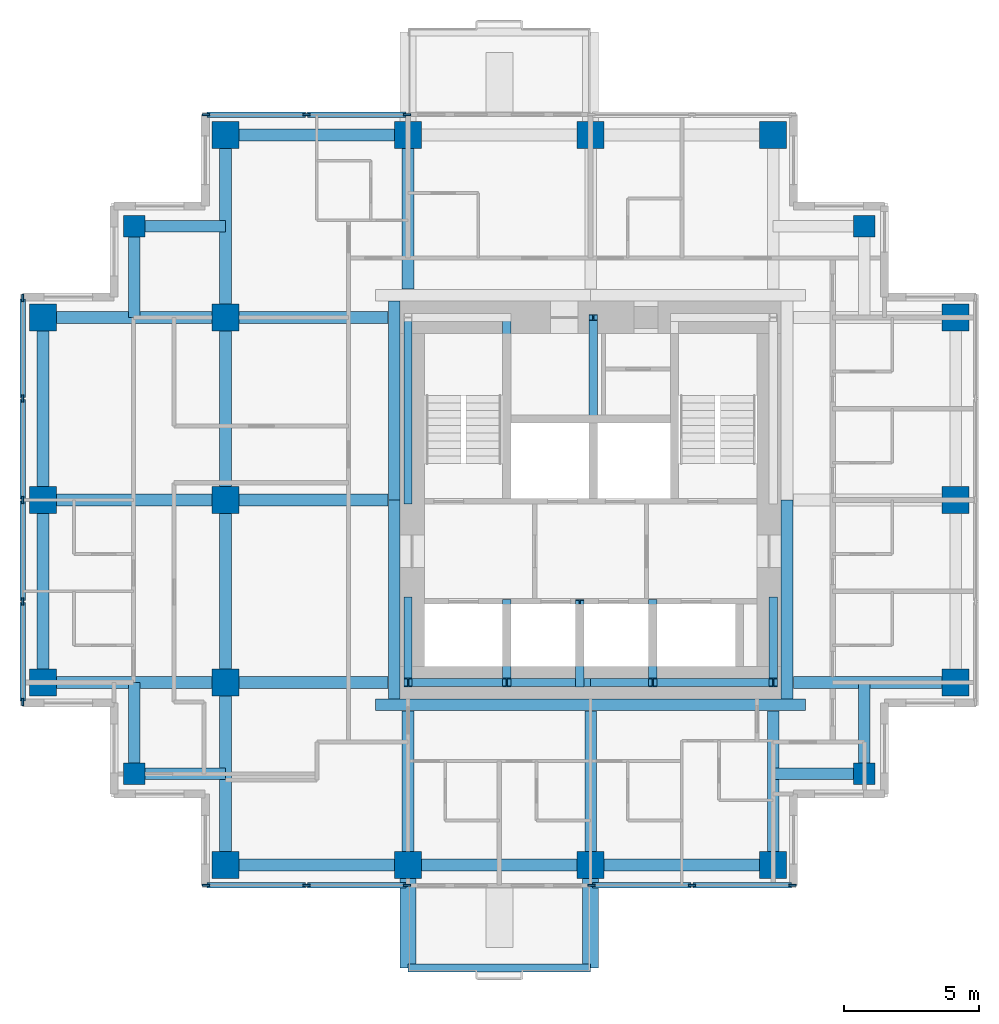
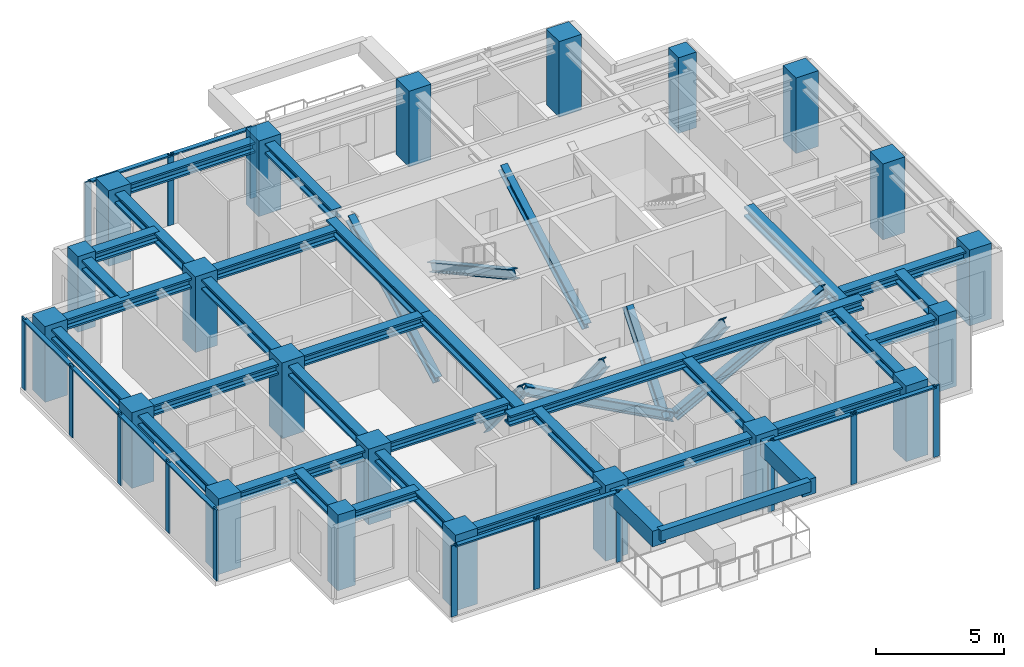
# One storey, part 1 of 8: 35 beams, 34 members, 21 columns, 4 elements without a shape of their own.
"""IFC4 building model written with IfcOpenShell, lengths in metres."""

from ifc_helpers import new_model, si_unit, direction, frame, origin, origin_2d, place, context, subcontext, project, spatial, rectangle, i_section, extrude, material, material_profile, profile_set, type_object, element, aggregate, save


model = new_model("IFC4")

# Units and contexts
model_context = context("Model", 3, precision=1e-05, world=origin(), true_north=direction((0.0, 1.0)))
body_context = subcontext(model_context, "Body", "Model", "MODEL_VIEW")
ifc_project = project(units=[si_unit("LENGTHUNIT", "METRE"), si_unit("AREAUNIT", "SQUARE_METRE"), si_unit("VOLUMEUNIT", "CUBIC_METRE"), si_unit("PLANEANGLEUNIT", "RADIAN"), si_unit("MASSUNIT", "GRAM", prefix="KILO")], contexts=[model_context])

# Site, building, storey
site_placement = place(None, origin())
site = spatial("IfcSite", under=ifc_project, at=site_placement, CompositionType="ELEMENT")
building_placement = place(site_placement, origin())
building = spatial("IfcBuilding", under=site, at=building_placement, Name="Nyansa Garden Tower", CompositionType="ELEMENT")
storey_placement = place(building_placement, frame((0.0, 0.0, 247.5)))
storey = spatial("IfcBuildingStorey", under=building, at=storey_placement, Name="L67", CompositionType="ELEMENT", Elevation=247.5)

# Columns
ifc_material_1 = material(Name="Concrete C70/85", Category="concrete")
ifc_material_profile_1 = material_profile(ifc_material_1, rectangle(XDim=1.0, YDim=1.0, at=origin_2d()), Name="RC 1000x1000")
ifc_profile_set_1 = profile_set([ifc_material_profile_1], Name="Concrete C70/85")
column_type_1 = type_object("IfcColumnType", Name="Column C100 RC 1000x1000", PredefinedType="COLUMN", material=ifc_profile_set_1)
for number, where, z_axis, x_axis, name in (
    (1, (0.0, 13.5, 0.0), (0.0, 0.0, 1.0), (1.0, 0.0, 0.0), "Column 2/F L67"),
    (2, (0.0, 20.25, 0.0), (0.0, 0.0, 1.0), (1.0, 0.0, 0.0), "Column 2/G L67"),
    (3, (0.0, 27.0, 0.0), (0.0, 0.0, 1.0), (1.0, 0.0, 0.0), "Column 2/H L67"),
    (4, (6.75, 6.75, 0.0), (0.0, 0.0, 1.0), (1.0, 0.0, 0.0), "Column 3/E L67"),
    (5, (6.75, 13.5, 0.0), (0.0, 0.0, 1.0), (1.0, 0.0, 0.0), "Column 3/F L67"),
    (6, (6.75, 20.25, 0.0), (0.0, 0.0, 1.0), (1.0, 0.0, 0.0), "Column 3/G L67"),
    (7, (6.75, 27.0, 0.0), (0.0, 0.0, 1.0), (1.0, 0.0, 0.0), "Column 3/H L67"),
    (8, (6.75, 33.75, 0.0), (0.0, 0.0, 1.0), (1.0, 0.0, 0.0), "Column 3/J L67"),
    (9, (13.5, 6.75, 0.0), (0.0, 0.0, 1.0), (1.0, 0.0, 0.0), "Column 4/E L67"),
    (10, (13.5, 33.75, 0.0), (0.0, 0.0, 1.0), (1.0, 0.0, 0.0), "Column 4/J L67"),
    (11, (20.25, 6.75, 0.0), (0.0, 0.0, 1.0), (1.0, 0.0, 0.0), "Column 5/E L67"),
    (12, (20.25, 33.75, 0.0), (0.0, 0.0, 1.0), (1.0, 0.0, 0.0), "Column 5/J L67"),
    (13, (27.0, 6.75, 0.0), (0.0, 0.0, 1.0), (1.0, 0.0, 0.0), "Column 6/E L67"),
    (14, (27.0, 33.75, 0.0), (0.0, 0.0, 1.0), (1.0, 0.0, 0.0), "Column 6/J L67"),
    (15, (33.75, 13.5, 0.0), (0.0, 0.0, 1.0), (1.0, 0.0, 0.0), "Column 7/F L67"),
    (16, (33.75, 20.25, 0.0), (0.0, 0.0, 1.0), (1.0, 0.0, 0.0), "Column 7/G L67"),
    (17, (33.75, 27.0, 0.0), (0.0, 0.0, 1.0), (1.0, 0.0, 0.0), "Column 7/H L67"),
):
    element("IfcColumn", number, at=place(storey_placement, frame(where, z_axis=z_axis, x_axis=x_axis)), inside=storey, type_object=column_type_1, Name=name, PredefinedType="COLUMN", context=body_context, shape_type="SweptSolid", body=[
        extrude(rectangle(XDim=1.0, YDim=1.0, at=origin_2d()), origin(), (0.0, 0.0, 1.0), 3.60009765625),
    ])
ifc_material_2 = material(Name="Concrete C70/85", Category="concrete")
ifc_material_profile_2 = material_profile(ifc_material_2, rectangle(XDim=0.800048828125, YDim=0.800048828125, at=origin_2d()), Name="RC 800x800")
ifc_profile_set_2 = profile_set([ifc_material_profile_2], Name="Concrete C70/85")
column_type_2 = type_object("IfcColumnType", Name="Column C80 RC 800x800", PredefinedType="COLUMN", material=ifc_profile_set_2)
for number, where, z_axis, x_axis, name in (
    (18, (3.375, 10.125, 0.0), (0.0, 0.0, 1.0), (1.0, 0.0, 0.0), "Column x3.375/y10.125 L67"),
    (19, (3.375, 30.375, 0.0), (0.0, 0.0, 1.0), (1.0, 0.0, 0.0), "Column x3.375/y30.375 L67"),
    (20, (30.375, 10.125, 0.0), (0.0, 0.0, 1.0), (1.0, 0.0, 0.0), "Column x30.375/y10.125 L67"),
    (21, (30.375, 30.375, 0.0), (0.0, 0.0, 1.0), (1.0, 0.0, 0.0), "Column x30.375/y30.375 L67"),
):
    element("IfcColumn", number, at=place(storey_placement, frame(where, z_axis=z_axis, x_axis=x_axis)), inside=storey, type_object=column_type_2, Name=name, PredefinedType="COLUMN", context=body_context, shape_type="SweptSolid", body=[
        extrude(rectangle(XDim=0.800048828125, YDim=0.800048828125, at=origin_2d()), origin(), (0.0, 0.0, 1.0), 3.60009765625),
    ])

# Beams
ifc_material_3 = material(Name="Concrete C70/85", Category="concrete")
ifc_material_profile_3 = material_profile(ifc_material_3, rectangle(XDim=0.60009765625, YDim=0.75, at=origin_2d()), Name="RC 600x750")
ifc_profile_set_3 = profile_set([ifc_material_profile_3], Name="Concrete C70/85")
beam_type_1 = type_object("IfcBeamType", Name="Balcony cantilever beam CB1 RC 600x750", PredefinedType="BEAM", material=ifc_profile_set_3)
for number, where, z_axis, x_axis, name in (
    (22, (13.5, 6.75, 2.985107421875), (0.0, -1.0, 0.0), (1.0, 0.0, 0.0), "Balcony cantilever beam L68"),
    (23, (20.25, 6.75, 2.985107421875), (0.0, -1.0, 0.0), (1.0, 0.0, 0.0), "Balcony cantilever beam L68"),
):
    element("IfcBeam", number, at=place(storey_placement, frame(where, z_axis=z_axis, x_axis=x_axis)), inside=storey, type_object=beam_type_1, Name=name, PredefinedType="BEAM", context=body_context, shape_type="SweptSolid", body=[
        extrude(rectangle(XDim=0.60009765625, YDim=0.75, at=origin_2d()), origin(), (0.0, 0.0, 1.0), 3.800048828125),
    ])
ifc_material_4 = material(Name="Concrete C70/85", Category="concrete")
ifc_material_profile_4 = material_profile(ifc_material_4, rectangle(XDim=0.300048828125, YDim=0.5, at=origin_2d()), Name="RC 300x500")
ifc_profile_set_4 = profile_set([ifc_material_profile_4], Name="Concrete C70/85")
beam_type_2 = type_object("IfcBeamType", Name="Balcony edge beam BE1 RC 300x500", PredefinedType="BEAM", material=ifc_profile_set_4)
beam_1_placement = place(storey_placement, frame((13.5, 2.949951171875, 3.110107421875), z_axis=(1.0, 0.0, 0.0), x_axis=(0.0, 1.0, 0.0)))
element("IfcBeam", 24, at=beam_1_placement, inside=storey, type_object=beam_type_2, Name="Balcony edge beam L68", PredefinedType="BEAM", context=body_context, shape_type="SweptSolid", body=[
    extrude(rectangle(XDim=0.300048828125, YDim=0.5, at=origin_2d()), origin(), (0.0, 0.0, 1.0), 6.75),
])

# Curtain wall, members
ifc_material_5 = material(Name="Black anodised aluminium, dark tinted double glazing", Category="aluminium")
curtain_wall_type = type_object("IfcCurtainWallType", Name="Inner skin curtain wall ISW-D", PredefinedType="USERDEFINED", material=ifc_material_5)
curtain_wall_1_placement = place(storey_placement, origin())
curtain_wall_1 = element("IfcCurtainWall", 25, at=curtain_wall_1_placement, inside=storey, type_object=curtain_wall_type, Name="Inner skin curtain wall L67 N", ObjectType="UNITISED CURTAIN WALL", PredefinedType="USERDEFINED")
ifc_material_6 = material(Name="Black anodised aluminium", Category="aluminium")
ifc_material_profile_5 = material_profile(ifc_material_6, rectangle(XDim=0.070068359375, YDim=0.27490234375, at=origin_2d()), Name="Mullion 275x70")
ifc_profile_set_5 = profile_set([ifc_material_profile_5], Name="Black anodised aluminium")
member_type_1 = type_object("IfcMemberType", Name="Mullion ISW-D 275x70", PredefinedType="MULLION", material=ifc_profile_set_5)
member_1_placement = place(storey_placement, frame((13.465087890625, 34.5, 0.0), z_axis=(0.0, 0.0, 1.0), x_axis=(0.0, -1.0, 0.0)))
member_1 = element("IfcMember", 26, at=member_1_placement, type_object=member_type_1, Name="ISW-D mullion 1", PredefinedType="MULLION", context=body_context, shape_type="SweptSolid", body=[
    extrude(rectangle(XDim=0.070068359375, YDim=0.27490234375, at=origin_2d()), origin(), (0.0, 0.0, 1.0), 3.375),
])
member_2_placement = place(storey_placement, frame((9.75, 34.5, 0.0), z_axis=(0.0, 0.0, 1.0), x_axis=(0.0, -1.0, 0.0)))
member_2 = element("IfcMember", 27, at=member_2_placement, type_object=member_type_1, Name="ISW-D mullion 2", PredefinedType="MULLION", context=body_context, shape_type="SweptSolid", body=[
    extrude(rectangle(XDim=0.070068359375, YDim=0.27490234375, at=origin_2d()), origin(), (0.0, 0.0, 1.0), 3.375),
])
member_3_placement = place(storey_placement, frame((6.034912109375, 34.5, 0.0), z_axis=(0.0, 0.0, 1.0), x_axis=(0.0, -1.0, 0.0)))
member_3 = element("IfcMember", 28, at=member_3_placement, type_object=member_type_1, Name="ISW-D mullion 3", PredefinedType="MULLION", context=body_context, shape_type="SweptSolid", body=[
    extrude(rectangle(XDim=0.070068359375, YDim=0.27490234375, at=origin_2d()), origin(), (0.0, 0.0, 1.0), 3.375),
])

curtain_wall_2_placement = place(storey_placement, origin())
curtain_wall_2 = element("IfcCurtainWall", 29, at=curtain_wall_2_placement, inside=storey, type_object=curtain_wall_type, Name="Inner skin curtain wall L67 W", ObjectType="UNITISED CURTAIN WALL", PredefinedType="USERDEFINED")
member_4_placement = place(storey_placement, frame((-0.75, 27.715087890625, 0.0), z_axis=(0.0, 0.0, 1.0), x_axis=(1.0, 0.0, 0.0)))
member_4 = element("IfcMember", 30, at=member_4_placement, type_object=member_type_1, Name="ISW-D mullion 1", PredefinedType="MULLION", context=body_context, shape_type="SweptSolid", body=[
    extrude(rectangle(XDim=0.070068359375, YDim=0.27490234375, at=origin_2d()), origin(), (0.0, 0.0, 1.0), 3.375),
])
member_5_placement = place(storey_placement, frame((-0.75, 24.0, 0.0), z_axis=(0.0, 0.0, 1.0), x_axis=(1.0, 0.0, 0.0)))
member_5 = element("IfcMember", 31, at=member_5_placement, type_object=member_type_1, Name="ISW-D mullion 2", PredefinedType="MULLION", context=body_context, shape_type="SweptSolid", body=[
    extrude(rectangle(XDim=0.070068359375, YDim=0.27490234375, at=origin_2d()), origin(), (0.0, 0.0, 1.0), 3.375),
])
member_6_placement = place(storey_placement, frame((-0.75, 20.25, 0.0), z_axis=(0.0, 0.0, 1.0), x_axis=(1.0, 0.0, 0.0)))
member_6 = element("IfcMember", 32, at=member_6_placement, type_object=member_type_1, Name="ISW-D mullion 3", PredefinedType="MULLION", context=body_context, shape_type="SweptSolid", body=[
    extrude(rectangle(XDim=0.070068359375, YDim=0.27490234375, at=origin_2d()), origin(), (0.0, 0.0, 1.0), 3.375),
])
member_7_placement = place(storey_placement, frame((-0.75, 16.5, 0.0), z_axis=(0.0, 0.0, 1.0), x_axis=(1.0, 0.0, 0.0)))
member_7 = element("IfcMember", 33, at=member_7_placement, type_object=member_type_1, Name="ISW-D mullion 4", PredefinedType="MULLION", context=body_context, shape_type="SweptSolid", body=[
    extrude(rectangle(XDim=0.070068359375, YDim=0.27490234375, at=origin_2d()), origin(), (0.0, 0.0, 1.0), 3.375),
])
member_8_placement = place(storey_placement, frame((-0.75, 12.784912109375, 0.0), z_axis=(0.0, 0.0, 1.0), x_axis=(1.0, 0.0, 0.0)))
member_8 = element("IfcMember", 34, at=member_8_placement, type_object=member_type_1, Name="ISW-D mullion 5", PredefinedType="MULLION", context=body_context, shape_type="SweptSolid", body=[
    extrude(rectangle(XDim=0.070068359375, YDim=0.27490234375, at=origin_2d()), origin(), (0.0, 0.0, 1.0), 3.375),
])

curtain_wall_3_placement = place(storey_placement, origin())
curtain_wall_3 = element("IfcCurtainWall", 35, at=curtain_wall_3_placement, inside=storey, type_object=curtain_wall_type, Name="Inner skin curtain wall L67 S", ObjectType="UNITISED CURTAIN WALL", PredefinedType="USERDEFINED")
member_9_placement = place(storey_placement, frame((6.034912109375, 6.0, 0.0), z_axis=(0.0, 0.0, 1.0), x_axis=(0.0, 1.0, 0.0)))
member_9 = element("IfcMember", 36, at=member_9_placement, type_object=member_type_1, Name="ISW-D mullion 1", PredefinedType="MULLION", context=body_context, shape_type="SweptSolid", body=[
    extrude(rectangle(XDim=0.070068359375, YDim=0.27490234375, at=origin_2d()), origin(), (0.0, 0.0, 1.0), 3.375),
])
member_10_placement = place(storey_placement, frame((9.75, 6.0, 0.0), z_axis=(0.0, 0.0, 1.0), x_axis=(0.0, 1.0, 0.0)))
member_10 = element("IfcMember", 37, at=member_10_placement, type_object=member_type_1, Name="ISW-D mullion 2", PredefinedType="MULLION", context=body_context, shape_type="SweptSolid", body=[
    extrude(rectangle(XDim=0.070068359375, YDim=0.27490234375, at=origin_2d()), origin(), (0.0, 0.0, 1.0), 3.375),
])
member_11_placement = place(storey_placement, frame((13.465087890625, 6.0, 0.0), z_axis=(0.0, 0.0, 1.0), x_axis=(0.0, 1.0, 0.0)))
member_11 = element("IfcMember", 38, at=member_11_placement, type_object=member_type_1, Name="ISW-D mullion 3", PredefinedType="MULLION", context=body_context, shape_type="SweptSolid", body=[
    extrude(rectangle(XDim=0.070068359375, YDim=0.27490234375, at=origin_2d()), origin(), (0.0, 0.0, 1.0), 3.375),
])

curtain_wall_4_placement = place(storey_placement, origin())
curtain_wall_4 = element("IfcCurtainWall", 39, at=curtain_wall_4_placement, inside=storey, type_object=curtain_wall_type, Name="Inner skin curtain wall L67 S", ObjectType="UNITISED CURTAIN WALL", PredefinedType="USERDEFINED")
member_12_placement = place(storey_placement, frame((20.284912109375, 6.0, 0.0), z_axis=(0.0, 0.0, 1.0), x_axis=(0.0, 1.0, 0.0)))
member_12 = element("IfcMember", 40, at=member_12_placement, type_object=member_type_1, Name="ISW-D mullion 1", PredefinedType="MULLION", context=body_context, shape_type="SweptSolid", body=[
    extrude(rectangle(XDim=0.070068359375, YDim=0.27490234375, at=origin_2d()), origin(), (0.0, 0.0, 1.0), 3.375),
])
member_13_placement = place(storey_placement, frame((24.0, 6.0, 0.0), z_axis=(0.0, 0.0, 1.0), x_axis=(0.0, 1.0, 0.0)))
member_13 = element("IfcMember", 41, at=member_13_placement, type_object=member_type_1, Name="ISW-D mullion 2", PredefinedType="MULLION", context=body_context, shape_type="SweptSolid", body=[
    extrude(rectangle(XDim=0.070068359375, YDim=0.27490234375, at=origin_2d()), origin(), (0.0, 0.0, 1.0), 3.375),
])
member_14_placement = place(storey_placement, frame((27.715087890625, 6.0, 0.0), z_axis=(0.0, 0.0, 1.0), x_axis=(0.0, 1.0, 0.0)))
member_14 = element("IfcMember", 42, at=member_14_placement, type_object=member_type_1, Name="ISW-D mullion 3", PredefinedType="MULLION", context=body_context, shape_type="SweptSolid", body=[
    extrude(rectangle(XDim=0.070068359375, YDim=0.27490234375, at=origin_2d()), origin(), (0.0, 0.0, 1.0), 3.375),
])

# Members
ifc_material_7 = material(Name="Steel S355", Category="steel")
ifc_material_profile_6 = material_profile(ifc_material_7, i_section(OverallWidth=0.306884765625, OverallDepth=0.431884765625, WebThickness=0.02099609375, FlangeThickness=0.0400390625, FilletRadius=0.027099609375, at=origin_2d()), Name="HE 400 M")
ifc_profile_set_6 = profile_set([ifc_material_profile_6], Name="Steel S355")
member_type_2 = type_object("IfcMemberType", Name="Perimeter brace HE 400 M", PredefinedType="BRACE", material=ifc_profile_set_6)
for number, where, z_axis, x_axis, name in (
    (43, (20.25, 13.5, 0.0), (-0.882347640589, 0.0, 0.47059817376), (0.0, -1.0, 0.0), "Core brace CS1 L67"),
    (44, (20.25, 13.5, 0.0), (0.882347640589, 0.0, 0.47059817376), (0.0, 1.0, 0.0), "Core brace CS2 L67"),
):
    element("IfcMember", number, at=place(storey_placement, frame(where, z_axis=z_axis, x_axis=x_axis)), inside=storey, type_object=member_type_2, Name=name, PredefinedType="BRACE", context=body_context, shape_type="SweptSolid", body=[
        extrude(i_section(OverallWidth=0.306884765625, OverallDepth=0.431884765625, WebThickness=0.02099609375, FlangeThickness=0.0400390625, FilletRadius=0.027099609375, at=origin_2d()), origin(), (0.0, 0.0, 1.0), 7.650146484375),
    ])
member_15_placement = place(storey_placement, frame((13.5, 16.5, 0.0), z_axis=(0.0, -0.640174150918, 0.768229820104), x_axis=(1.0, 0.0, 0.0)))
element("IfcMember", 45, at=member_15_placement, inside=storey, type_object=member_type_2, Name="Core brace CW5 L67", PredefinedType="BRACE", context=body_context, shape_type="SweptSolid", body=[
    extrude(i_section(OverallWidth=0.306884765625, OverallDepth=0.431884765625, WebThickness=0.02099609375, FlangeThickness=0.0400390625, FilletRadius=0.027099609375, at=origin_2d()), origin(), (0.0, 0.0, 1.0), 4.686279296875),
])
member_16_placement = place(storey_placement, frame((13.5, 20.199951171875, 0.0), z_axis=(0.0, 0.883784057226, 0.467895009796), x_axis=(-1.0, 0.0, 0.0)))
element("IfcMember", 46, at=member_16_placement, inside=storey, type_object=member_type_2, Name="Core brace CW6 L67", PredefinedType="BRACE", context=body_context, shape_type="SweptSolid", body=[
    extrude(i_section(OverallWidth=0.306884765625, OverallDepth=0.431884765625, WebThickness=0.02099609375, FlangeThickness=0.0400390625, FilletRadius=0.027099609375, at=origin_2d()), origin(), (0.0, 0.0, 1.0), 7.6943359375),
])
member_17_placement = place(storey_placement, frame((27.0, 16.5, 0.0), z_axis=(0.0, -0.640174150918, 0.768229820104), x_axis=(1.0, 0.0, 0.0)))
element("IfcMember", 47, at=member_17_placement, inside=storey, type_object=member_type_2, Name="Core brace CE7 L67", PredefinedType="BRACE", context=body_context, shape_type="SweptSolid", body=[
    extrude(i_section(OverallWidth=0.306884765625, OverallDepth=0.431884765625, WebThickness=0.02099609375, FlangeThickness=0.0400390625, FilletRadius=0.027099609375, at=origin_2d()), origin(), (0.0, 0.0, 1.0), 4.686279296875),
])
member_18_placement = place(storey_placement, frame((17.14990234375, 27.0, 0.0), z_axis=(0.0, -0.876353113771, 0.481669201822), x_axis=(1.0, 0.0, 0.0)))
element("IfcMember", 48, at=member_18_placement, inside=storey, type_object=member_type_2, Name="Core brace CWS9 L67", PredefinedType="BRACE", context=body_context, shape_type="SweptSolid", body=[
    extrude(i_section(OverallWidth=0.306884765625, OverallDepth=0.431884765625, WebThickness=0.02099609375, FlangeThickness=0.0400390625, FilletRadius=0.027099609375, at=origin_2d()), origin(), (0.0, 0.0, 1.0), 7.47412109375),
])
for number, where, z_axis, x_axis, name in (
    (49, (17.14990234375, 16.39990234375, 0.0), (0.0, -0.627306405886, 0.778772542617), (1.0, 0.0, 0.0), "Core brace CSW11 L67"),
    (50, (19.85009765625, 13.5, 0.0), (0.0, 0.627306405886, 0.778772542617), (-1.0, 0.0, 0.0), "Core brace CSW12 L67"),
    (51, (22.550048828125, 16.39990234375, 0.0), (0.0, -0.627306405886, 0.778772542617), (1.0, 0.0, 0.0), "Core brace CSW13 L67"),
):
    element("IfcMember", number, at=place(storey_placement, frame(where, z_axis=z_axis, x_axis=x_axis)), inside=storey, type_object=member_type_2, Name=name, PredefinedType="BRACE", context=body_context, shape_type="SweptSolid", body=[
        extrude(i_section(OverallWidth=0.306884765625, OverallDepth=0.431884765625, WebThickness=0.02099609375, FlangeThickness=0.0400390625, FilletRadius=0.027099609375, at=origin_2d()), origin(), (0.0, 0.0, 1.0), 4.622802734375),
    ])
member_19_placement = place(storey_placement, frame((20.35009765625, 20.449951171875, 0.0), z_axis=(0.0, 0.876353113771, 0.481669201822), x_axis=(-1.0, 0.0, 0.0)))
element("IfcMember", 52, at=member_19_placement, inside=storey, type_object=member_type_2, Name="Core brace CNW14 L67", PredefinedType="BRACE", context=body_context, shape_type="SweptSolid", body=[
    extrude(i_section(OverallWidth=0.306884765625, OverallDepth=0.431884765625, WebThickness=0.02099609375, FlangeThickness=0.0400390625, FilletRadius=0.027099609375, at=origin_2d()), origin(), (0.0, 0.0, 1.0), 7.47412109375),
])

# Beams
ifc_material_8 = material(Name="Steel S355", Category="steel")
ifc_material_profile_7 = material_profile(ifc_material_8, i_section(OverallWidth=0.431884765625, OverallDepth=0.498046875, WebThickness=0.0556640625, FlangeThickness=0.0888671875, FilletRadius=0.014892578125, at=origin_2d()), Name="HD 400x744")
ifc_profile_set_7 = profile_set([ifc_material_profile_7], Name="Steel S355")
beam_type_3 = type_object("IfcBeamType", Name="Steel beam SBD1-744 HD 400x744", PredefinedType="BEAM", material=ifc_profile_set_7)
for number, where, z_axis, x_axis, name in (
    (53, (0.0, 13.5, 3.1259765625), (1.0, 0.0, 0.0), (0.0, 1.0, 0.0), "Steel beam 2/F-3/F L68"),
    (54, (0.0, 20.25, 3.1259765625), (1.0, 0.0, 0.0), (0.0, 1.0, 0.0), "Steel beam 2/G-3/G L68"),
    (55, (0.0, 27.0, 3.1259765625), (1.0, 0.0, 0.0), (0.0, 1.0, 0.0), "Steel beam 2/H-3/H L68"),
    (56, (6.75, 6.75, 3.1259765625), (0.0, 1.0, 0.0), (-1.0, 0.0, 0.0), "Steel beam 3/E-3/F L68"),
    (57, (6.75, 13.5, 3.1259765625), (0.0, 1.0, 0.0), (-1.0, 0.0, 0.0), "Steel beam 3/F-3/G L68"),
):
    element("IfcBeam", number, at=place(storey_placement, frame(where, z_axis=z_axis, x_axis=x_axis)), inside=storey, type_object=beam_type_3, Name=name, PredefinedType="BEAM", context=body_context, shape_type="SweptSolid", body=[
        extrude(i_section(OverallWidth=0.431884765625, OverallDepth=0.498046875, WebThickness=0.0556640625, FlangeThickness=0.0888671875, FilletRadius=0.014892578125, at=origin_2d()), origin(), (0.0, 0.0, 1.0), 6.75),
    ])
beam_2_placement = place(storey_placement, frame((6.75, 13.5, 3.1259765625), z_axis=(1.0, 0.0, 0.0), x_axis=(0.0, 1.0, 0.0)))
element("IfcBeam", 58, at=beam_2_placement, inside=storey, type_object=beam_type_3, Name="Steel beam 3/F-12.750/F L68", PredefinedType="BEAM", context=body_context, shape_type="SweptSolid", body=[
    extrude(i_section(OverallWidth=0.431884765625, OverallDepth=0.498046875, WebThickness=0.0556640625, FlangeThickness=0.0888671875, FilletRadius=0.014892578125, at=origin_2d()), origin(), (0.0, 0.0, 1.0), 6.0),
])
beam_3_placement = place(storey_placement, frame((6.75, 20.25, 3.1259765625), z_axis=(0.0, 1.0, 0.0), x_axis=(-1.0, 0.0, 0.0)))
element("IfcBeam", 59, at=beam_3_placement, inside=storey, type_object=beam_type_3, Name="Steel beam 3/G-3/H L68", PredefinedType="BEAM", context=body_context, shape_type="SweptSolid", body=[
    extrude(i_section(OverallWidth=0.431884765625, OverallDepth=0.498046875, WebThickness=0.0556640625, FlangeThickness=0.0888671875, FilletRadius=0.014892578125, at=origin_2d()), origin(), (0.0, 0.0, 1.0), 6.75),
])
beam_4_placement = place(storey_placement, frame((6.75, 20.25, 3.1259765625), z_axis=(1.0, 0.0, 0.0), x_axis=(0.0, 1.0, 0.0)))
element("IfcBeam", 60, at=beam_4_placement, inside=storey, type_object=beam_type_3, Name="Steel beam 3/G-12.750/G L68", PredefinedType="BEAM", context=body_context, shape_type="SweptSolid", body=[
    extrude(i_section(OverallWidth=0.431884765625, OverallDepth=0.498046875, WebThickness=0.0556640625, FlangeThickness=0.0888671875, FilletRadius=0.014892578125, at=origin_2d()), origin(), (0.0, 0.0, 1.0), 6.0),
])
beam_5_placement = place(storey_placement, frame((6.75, 27.0, 3.1259765625), z_axis=(0.0, 1.0, 0.0), x_axis=(-1.0, 0.0, 0.0)))
element("IfcBeam", 61, at=beam_5_placement, inside=storey, type_object=beam_type_3, Name="Steel beam 3/H-3/J L68", PredefinedType="BEAM", context=body_context, shape_type="SweptSolid", body=[
    extrude(i_section(OverallWidth=0.431884765625, OverallDepth=0.498046875, WebThickness=0.0556640625, FlangeThickness=0.0888671875, FilletRadius=0.014892578125, at=origin_2d()), origin(), (0.0, 0.0, 1.0), 6.75),
])
beam_6_placement = place(storey_placement, frame((6.75, 27.0, 3.1259765625), z_axis=(1.0, 0.0, 0.0), x_axis=(0.0, 1.0, 0.0)))
element("IfcBeam", 62, at=beam_6_placement, inside=storey, type_object=beam_type_3, Name="Steel beam 3/H-12.750/H L68", PredefinedType="BEAM", context=body_context, shape_type="SweptSolid", body=[
    extrude(i_section(OverallWidth=0.431884765625, OverallDepth=0.498046875, WebThickness=0.0556640625, FlangeThickness=0.0888671875, FilletRadius=0.014892578125, at=origin_2d()), origin(), (0.0, 0.0, 1.0), 6.0),
])
for number, where, z_axis, x_axis, name in (
    (63, (13.5, 6.75, 3.1259765625), (0.0, 1.0, 0.0), (-1.0, 0.0, 0.0), "Steel beam 4/E-4/12.450 L68"),
    (64, (13.5, 28.050048828125, 3.1259765625), (0.0, 1.0, 0.0), (-1.0, 0.0, 0.0), "Steel beam 4/28.050-4/J L68"),
    (65, (20.25, 6.75, 3.1259765625), (0.0, 1.0, 0.0), (-1.0, 0.0, 0.0), "Steel beam 5/E-5/12.450 L68"),
    (66, (27.0, 6.75, 3.1259765625), (0.0, 1.0, 0.0), (-1.0, 0.0, 0.0), "Steel beam 6/E-6/12.450 L68"),
):
    element("IfcBeam", number, at=place(storey_placement, frame(where, z_axis=z_axis, x_axis=x_axis)), inside=storey, type_object=beam_type_3, Name=name, PredefinedType="BEAM", context=body_context, shape_type="SweptSolid", body=[
        extrude(i_section(OverallWidth=0.431884765625, OverallDepth=0.498046875, WebThickness=0.0556640625, FlangeThickness=0.0888671875, FilletRadius=0.014892578125, at=origin_2d()), origin(), (0.0, 0.0, 1.0), 5.699951171875),
    ])
beam_7_placement = place(storey_placement, frame((27.75, 13.5, 3.1259765625), z_axis=(1.0, 0.0, 0.0), x_axis=(0.0, 1.0, 0.0)))
element("IfcBeam", 67, at=beam_7_placement, inside=storey, type_object=beam_type_3, Name="Steel beam 27.750/F-7/F L68", PredefinedType="BEAM", context=body_context, shape_type="SweptSolid", body=[
    extrude(i_section(OverallWidth=0.431884765625, OverallDepth=0.498046875, WebThickness=0.0556640625, FlangeThickness=0.0888671875, FilletRadius=0.014892578125, at=origin_2d()), origin(), (0.0, 0.0, 1.0), 6.0),
])
ifc_material_9 = material(Name="Steel S355", Category="steel")
ifc_material_profile_8 = material_profile(ifc_material_9, i_section(OverallWidth=0.431884765625, OverallDepth=0.498046875, WebThickness=0.0556640625, FlangeThickness=0.0888671875, FilletRadius=0.014892578125, at=origin_2d()), Name="HD 400x744")
ifc_profile_set_8 = profile_set([ifc_material_profile_8], Name="Steel S355")
beam_type_4 = type_object("IfcBeamType", Name="Steel beam SEBD-744 HD 400x744", PredefinedType="BEAM", material=ifc_profile_set_8)
for number, where, z_axis, x_axis, name in (
    (68, (0.0, 13.5, 3.1259765625), (0.0, 1.0, 0.0), (-1.0, 0.0, 0.0), "Steel edge beam 2/F-2/G L68"),
    (69, (0.0, 20.25, 3.1259765625), (0.0, 1.0, 0.0), (-1.0, 0.0, 0.0), "Steel edge beam 2/G-2/H L68"),
    (70, (6.75, 6.75, 3.1259765625), (1.0, 0.0, 0.0), (0.0, 1.0, 0.0), "Steel edge beam 3/E-4/E L68"),
    (71, (6.75, 33.75, 3.1259765625), (1.0, 0.0, 0.0), (0.0, 1.0, 0.0), "Steel edge beam 3/J-4/J L68"),
    (72, (13.5, 6.75, 3.1259765625), (1.0, 0.0, 0.0), (0.0, 1.0, 0.0), "Steel edge beam 4/E-5/E L68"),
    (73, (20.25, 6.75, 3.1259765625), (1.0, 0.0, 0.0), (0.0, 1.0, 0.0), "Steel edge beam 5/E-6/E L68"),
):
    element("IfcBeam", number, at=place(storey_placement, frame(where, z_axis=z_axis, x_axis=x_axis)), inside=storey, type_object=beam_type_4, Name=name, PredefinedType="BEAM", context=body_context, shape_type="SweptSolid", body=[
        extrude(i_section(OverallWidth=0.431884765625, OverallDepth=0.498046875, WebThickness=0.0556640625, FlangeThickness=0.0888671875, FilletRadius=0.014892578125, at=origin_2d()), origin(), (0.0, 0.0, 1.0), 6.75),
    ])
ifc_material_10 = material(Name="Steel S355", Category="steel")
ifc_material_profile_9 = material_profile(ifc_material_10, i_section(OverallWidth=0.431884765625, OverallDepth=0.498046875, WebThickness=0.0556640625, FlangeThickness=0.0888671875, FilletRadius=0.014892578125, at=origin_2d()), Name="HD 400x744")
ifc_profile_set_9 = profile_set([ifc_material_profile_9], Name="Steel S355")
beam_type_5 = type_object("IfcBeamType", Name="Steel beam SLB1-744 HD 400x744", PredefinedType="BEAM", material=ifc_profile_set_9)
for number, where, z_axis, x_axis, name in (
    (74, (12.300048828125, 12.68408203125, 3.1259765625), (1.0, 0.0, 0.0), (0.0, 1.0, 0.0), "Steel core ledger beam S.1 L68"),
    (75, (20.25, 12.68408203125, 3.1259765625), (1.0, 0.0, 0.0), (0.0, 1.0, 0.0), "Steel core ledger beam S.2 L68"),
):
    element("IfcBeam", number, at=place(storey_placement, frame(where, z_axis=z_axis, x_axis=x_axis)), inside=storey, type_object=beam_type_5, Name=name, PredefinedType="BEAM", context=body_context, shape_type="SweptSolid", body=[
        extrude(i_section(OverallWidth=0.431884765625, OverallDepth=0.498046875, WebThickness=0.0556640625, FlangeThickness=0.0888671875, FilletRadius=0.014892578125, at=origin_2d()), origin(), (0.0, 0.0, 1.0), 7.949951171875),
    ])
for number, where, z_axis, x_axis, name in (
    (76, (27.51611328125, 12.89990234375, 3.1259765625), (0.0, 1.0, 0.0), (-1.0, 0.0, 0.0), "Steel core ledger beam E.1 L68"),
    (77, (12.98388671875, 27.60009765625, 3.1259765625), (0.0, -1.0, 0.0), (1.0, 0.0, 0.0), "Steel core ledger beam W.1 L68"),
    (78, (12.98388671875, 20.25, 3.1259765625), (0.0, -1.0, 0.0), (1.0, 0.0, 0.0), "Steel core ledger beam W.2 L68"),
):
    element("IfcBeam", number, at=place(storey_placement, frame(where, z_axis=z_axis, x_axis=x_axis)), inside=storey, type_object=beam_type_5, Name=name, PredefinedType="BEAM", context=body_context, shape_type="SweptSolid", body=[
        extrude(i_section(OverallWidth=0.431884765625, OverallDepth=0.498046875, WebThickness=0.0556640625, FlangeThickness=0.0888671875, FilletRadius=0.014892578125, at=origin_2d()), origin(), (0.0, 0.0, 1.0), 7.35009765625),
    ])
ifc_material_11 = material(Name="Steel S355", Category="steel")
ifc_material_profile_10 = material_profile(ifc_material_11, i_section(OverallWidth=0.431884765625, OverallDepth=0.498046875, WebThickness=0.0556640625, FlangeThickness=0.0888671875, FilletRadius=0.014892578125, at=origin_2d()), Name="HD 400x744")
ifc_profile_set_10 = profile_set([ifc_material_profile_10], Name="Steel S355")
beam_type_6 = type_object("IfcBeamType", Name="Steel beam SSB1-744 HD 400x744", PredefinedType="BEAM", material=ifc_profile_set_10)
for number, where, z_axis, x_axis, name in (
    (79, (3.375, 10.125, 3.1259765625), (0.0, 1.0, 0.0), (-1.0, 0.0, 0.0), "Steel step beam 3.375/10.125 L68"),
    (80, (3.375, 10.125, 3.1259765625), (1.0, 0.0, 0.0), (0.0, 1.0, 0.0), "Steel step beam 3.375/10.125 L68"),
    (81, (30.375, 10.125, 3.1259765625), (0.0, 1.0, 0.0), (-1.0, 0.0, 0.0), "Steel step beam 30.375/10.125 L68"),
    (82, (30.375, 10.125, 3.1259765625), (-1.0, 0.0, 0.0), (0.0, -1.0, 0.0), "Steel step beam 30.375/10.125 L68"),
    (83, (3.375, 30.375, 3.1259765625), (0.0, -1.0, 0.0), (1.0, 0.0, 0.0), "Steel step beam 3.375/30.375 L68"),
    (84, (3.375, 30.375, 3.1259765625), (1.0, 0.0, 0.0), (0.0, 1.0, 0.0), "Steel step beam 3.375/30.375 L68"),
):
    element("IfcBeam", number, at=place(storey_placement, frame(where, z_axis=z_axis, x_axis=x_axis)), inside=storey, type_object=beam_type_6, Name=name, PredefinedType="BEAM", context=body_context, shape_type="SweptSolid", body=[
        extrude(i_section(OverallWidth=0.431884765625, OverallDepth=0.498046875, WebThickness=0.0556640625, FlangeThickness=0.0888671875, FilletRadius=0.014892578125, at=origin_2d()), origin(), (0.0, 0.0, 1.0), 3.375),
    ])

# Member
ifc_material_12 = material(Name="Black anodised aluminium", Category="aluminium")
ifc_material_profile_11 = material_profile(ifc_material_12, rectangle(XDim=0.195068359375, YDim=0.070068359375, at=origin_2d()), Name="Transom 195x70")
ifc_profile_set_11 = profile_set([ifc_material_profile_11], Name="Black anodised aluminium")
member_type_3 = type_object("IfcMemberType", Name="Transom ISW-D 195x70", PredefinedType="USERDEFINED", material=ifc_profile_set_11)
member_20_placement = place(storey_placement, frame((13.429931640625, 34.5, 3.340087890625), z_axis=(-1.0, 0.0, 0.0), x_axis=(0.0, -1.0, 0.0)))
member_20 = element("IfcMember", 85, at=member_20_placement, type_object=member_type_3, Name="ISW-D transom 1", ObjectType="TRANSOM", PredefinedType="USERDEFINED", context=body_context, shape_type="SweptSolid", body=[
    extrude(rectangle(XDim=0.195068359375, YDim=0.070068359375, at=origin_2d()), origin(), (0.0, 0.0, 1.0), 3.64501953125),
])

member_21_placement = place(storey_placement, frame((9.715087890625, 34.5, 3.340087890625), z_axis=(-1.0, 0.0, 0.0), x_axis=(0.0, -1.0, 0.0)))
member_21 = element("IfcMember", 86, at=member_21_placement, type_object=member_type_3, Name="ISW-D transom 2", ObjectType="TRANSOM", PredefinedType="USERDEFINED", context=body_context, shape_type="SweptSolid", body=[
    extrude(rectangle(XDim=0.195068359375, YDim=0.070068359375, at=origin_2d()), origin(), (0.0, 0.0, 1.0), 3.64501953125),
])

aggregate(curtain_wall_1, [member_1, member_2, member_3, member_20, member_21])

member_22_placement = place(storey_placement, frame((-0.75, 27.679931640625, 3.340087890625), z_axis=(0.0, -1.0, 0.0), x_axis=(1.0, 0.0, 0.0)))
member_22 = element("IfcMember", 87, at=member_22_placement, type_object=member_type_3, Name="ISW-D transom 1", ObjectType="TRANSOM", PredefinedType="USERDEFINED", context=body_context, shape_type="SweptSolid", body=[
    extrude(rectangle(XDim=0.195068359375, YDim=0.070068359375, at=origin_2d()), origin(), (0.0, 0.0, 1.0), 3.64501953125),
])

member_23_placement = place(storey_placement, frame((-0.75, 23.965087890625, 3.340087890625), z_axis=(0.0, -1.0, 0.0), x_axis=(1.0, 0.0, 0.0)))
member_23 = element("IfcMember", 88, at=member_23_placement, type_object=member_type_3, Name="ISW-D transom 2", ObjectType="TRANSOM", PredefinedType="USERDEFINED", context=body_context, shape_type="SweptSolid", body=[
    extrude(rectangle(XDim=0.195068359375, YDim=0.070068359375, at=origin_2d()), origin(), (0.0, 0.0, 1.0), 3.68017578125),
])

member_24_placement = place(storey_placement, frame((-0.75, 20.215087890625, 3.340087890625), z_axis=(0.0, -1.0, 0.0), x_axis=(1.0, 0.0, 0.0)))
member_24 = element("IfcMember", 89, at=member_24_placement, type_object=member_type_3, Name="ISW-D transom 3", ObjectType="TRANSOM", PredefinedType="USERDEFINED", context=body_context, shape_type="SweptSolid", body=[
    extrude(rectangle(XDim=0.195068359375, YDim=0.070068359375, at=origin_2d()), origin(), (0.0, 0.0, 1.0), 3.68017578125),
])

member_25_placement = place(storey_placement, frame((-0.75, 16.465087890625, 3.340087890625), z_axis=(0.0, -1.0, 0.0), x_axis=(1.0, 0.0, 0.0)))
member_25 = element("IfcMember", 90, at=member_25_placement, type_object=member_type_3, Name="ISW-D transom 4", ObjectType="TRANSOM", PredefinedType="USERDEFINED", context=body_context, shape_type="SweptSolid", body=[
    extrude(rectangle(XDim=0.195068359375, YDim=0.070068359375, at=origin_2d()), origin(), (0.0, 0.0, 1.0), 3.64501953125),
])

aggregate(curtain_wall_2, [member_4, member_5, member_6, member_7, member_8, member_22, member_23, member_24, member_25])

member_26_placement = place(storey_placement, frame((6.070068359375, 6.0, 3.340087890625), z_axis=(1.0, 0.0, 0.0), x_axis=(0.0, 1.0, 0.0)))
member_26 = element("IfcMember", 91, at=member_26_placement, type_object=member_type_3, Name="ISW-D transom 1", ObjectType="TRANSOM", PredefinedType="USERDEFINED", context=body_context, shape_type="SweptSolid", body=[
    extrude(rectangle(XDim=0.195068359375, YDim=0.070068359375, at=origin_2d()), origin(), (0.0, 0.0, 1.0), 3.64501953125),
])

member_27_placement = place(storey_placement, frame((9.784912109375, 6.0, 3.340087890625), z_axis=(1.0, 0.0, 0.0), x_axis=(0.0, 1.0, 0.0)))
member_27 = element("IfcMember", 92, at=member_27_placement, type_object=member_type_3, Name="ISW-D transom 2", ObjectType="TRANSOM", PredefinedType="USERDEFINED", context=body_context, shape_type="SweptSolid", body=[
    extrude(rectangle(XDim=0.195068359375, YDim=0.070068359375, at=origin_2d()), origin(), (0.0, 0.0, 1.0), 3.64501953125),
])

aggregate(curtain_wall_3, [member_9, member_10, member_11, member_26, member_27])

member_28_placement = place(storey_placement, frame((20.320068359375, 6.0, 3.340087890625), z_axis=(1.0, 0.0, 0.0), x_axis=(0.0, 1.0, 0.0)))
member_28 = element("IfcMember", 93, at=member_28_placement, type_object=member_type_3, Name="ISW-D transom 1", ObjectType="TRANSOM", PredefinedType="USERDEFINED", context=body_context, shape_type="SweptSolid", body=[
    extrude(rectangle(XDim=0.195068359375, YDim=0.070068359375, at=origin_2d()), origin(), (0.0, 0.0, 1.0), 3.64501953125),
])

member_29_placement = place(storey_placement, frame((24.034912109375, 6.0, 3.340087890625), z_axis=(1.0, 0.0, 0.0), x_axis=(0.0, 1.0, 0.0)))
member_29 = element("IfcMember", 94, at=member_29_placement, type_object=member_type_3, Name="ISW-D transom 2", ObjectType="TRANSOM", PredefinedType="USERDEFINED", context=body_context, shape_type="SweptSolid", body=[
    extrude(rectangle(XDim=0.195068359375, YDim=0.070068359375, at=origin_2d()), origin(), (0.0, 0.0, 1.0), 3.64501953125),
])

aggregate(curtain_wall_4, [member_12, member_13, member_14, member_28, member_29])

save(model, "model.ifc")
